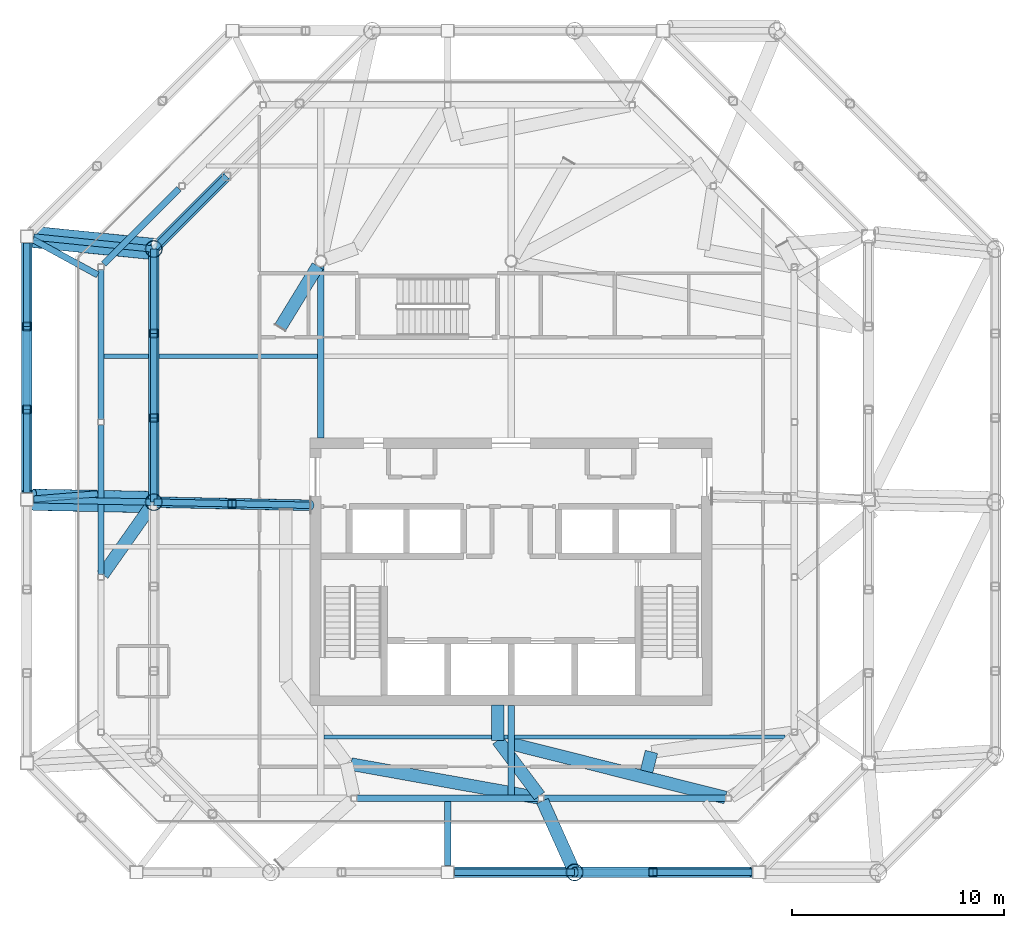
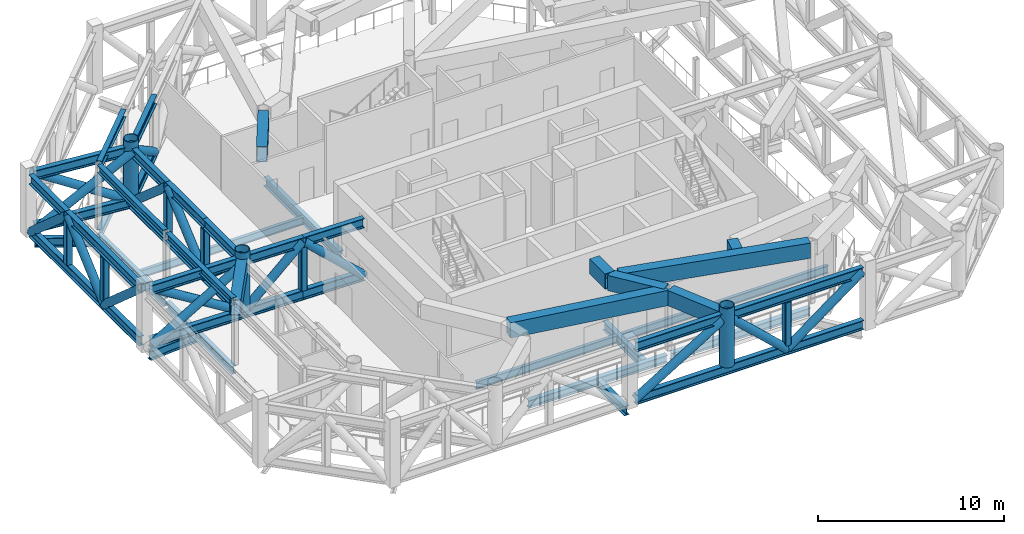
# One storey, part 3 of 14: 48 beams, 25 members.
"""IFC4 building model written with IfcOpenShell, lengths in metres."""

from ifc_helpers import new_model, si_unit, direction, frame, origin, origin_2d, place, context, subcontext, project, spatial, hollow_rectangle, hollow_circle, i_section, extrude, material, material_profile, profile_set, type_object, element, save


model = new_model("IFC4")

# Units and contexts
model_context = context("Model", 3, precision=1e-05, world=origin(), true_north=direction((0.0, 1.0)))
body_context = subcontext(model_context, "Body", "Model", "MODEL_VIEW")
ifc_project = project(units=[si_unit("LENGTHUNIT", "METRE"), si_unit("AREAUNIT", "SQUARE_METRE"), si_unit("VOLUMEUNIT", "CUBIC_METRE"), si_unit("PLANEANGLEUNIT", "RADIAN"), si_unit("MASSUNIT", "GRAM", prefix="KILO")], contexts=[model_context])

# Site, building, storey
site_placement = place(None, origin())
site = spatial("IfcSite", under=ifc_project, at=site_placement, CompositionType="ELEMENT")
building_placement = place(site_placement, origin())
building = spatial("IfcBuilding", under=site, at=building_placement, Name="Tskaro Facet Tower", CompositionType="ELEMENT")
storey_placement = place(building_placement, frame((0.0, 0.0, 255.0)))
storey = spatial("IfcBuildingStorey", under=building, at=storey_placement, Name="L67", CompositionType="ELEMENT", Elevation=255.0)

# Beams
ifc_material_1 = material(Name="Steel S355J2", Category="steel")
ifc_material_profile_1 = material_profile(ifc_material_1, hollow_rectangle(XDim=0.60009765625, YDim=1.0, WallThickness=0.0400390625, at=origin_2d()), Name="BOX 600x1000x40")
ifc_profile_set_1 = profile_set([ifc_material_profile_1], Name="Steel S355J2")
beam_type_1 = type_object("IfcBeamType", Name="BOX 600x1000x40 transfer girder", PredefinedType="BEAM", material=ifc_profile_set_1)
beam_1_placement = place(storey_placement, frame((-7.56884765625, -14.776123046875, 3.580078125), z_axis=(0.984253656315, -0.176761817228, 0.0), x_axis=(0.176761817228, 0.984253656315, 0.0)))
element("IfcBeam", 1, at=beam_1_placement, inside=storey, type_object=beam_type_1, Name="BOX 600x1000x40 TG6-10", PredefinedType="BEAM", context=body_context, shape_type="SweptSolid", body=[
    extrude(hollow_rectangle(XDim=0.60009765625, YDim=1.0, WallThickness=0.0400390625, at=origin_2d()), origin(), (0.0, 0.0, 1.0), 8.99560546875),
])
beam_2_placement = place(storey_placement, frame((-0.634033203125, -13.64990234375, 3.580078125), z_axis=(0.600202004065, -0.799848457094, 0.0), x_axis=(0.799848457094, 0.600202004065, 0.0)))
element("IfcBeam", 2, at=beam_2_placement, inside=storey, type_object=beam_type_1, Name="BOX 600x1000x40 TG6-15", PredefinedType="BEAM", context=body_context, shape_type="SweptSolid", body=[
    extrude(hollow_rectangle(XDim=0.60009765625, YDim=1.0, WallThickness=0.0400390625, at=origin_2d()), origin(), (0.0, 0.0, 1.0), 3.287109375),
])
beam_3_placement = place(storey_placement, frame((-0.16845703125, -13.76708984375, 3.580078125), z_axis=(0.969817126291, -0.243833429932, 0.0), x_axis=(0.243833429932, 0.969817126291, 0.0)))
element("IfcBeam", 3, at=beam_3_placement, inside=storey, type_object=beam_type_1, Name="BOX 600x1000x40 TG6-16", PredefinedType="BEAM", context=body_context, shape_type="SweptSolid", body=[
    extrude(hollow_rectangle(XDim=0.60009765625, YDim=1.0, WallThickness=0.0400390625, at=origin_2d()), origin(), (0.0, 0.0, 1.0), 10.621337890625),
])
beam_4_placement = place(storey_placement, frame((-0.634033203125, -13.64990234375, 3.580078125), z_axis=(0.0, 1.0, 0.0), x_axis=(-1.0, 0.0, 0.0)))
element("IfcBeam", 4, at=beam_4_placement, inside=storey, type_object=beam_type_1, Name="BOX 600x1000x40 TG6-17", PredefinedType="BEAM", context=body_context, shape_type="SweptSolid", body=[
    extrude(hollow_rectangle(XDim=0.60009765625, YDim=1.0, WallThickness=0.0400390625, at=origin_2d()), origin(), (0.0, 0.0, 1.0), 1.659912109375),
])
beam_5_placement = place(storey_placement, frame((3.0, -19.89306640625, 3.580078125), z_axis=(-0.410589589532, 0.911820261328, 0.0), x_axis=(-0.911820261328, -0.410589589532, 0.0)))
element("IfcBeam", 5, at=beam_5_placement, inside=storey, type_object=beam_type_1, Name="BOX 600x1000x40 TG6-23", PredefinedType="BEAM", context=body_context, shape_type="SweptSolid", body=[
    extrude(hollow_rectangle(XDim=0.60009765625, YDim=1.0, WallThickness=0.0400390625, at=origin_2d()), origin(), (0.0, 0.0, 1.0), 3.700927734375),
])
beam_6_placement = place(storey_placement, frame((-10.9130859375, 5.872314453125, 3.580078125), z_axis=(0.521801741596, 0.853066786639, 0.0), x_axis=(-0.853066786639, 0.521801741596, 0.0)))
element("IfcBeam", 6, at=beam_6_placement, inside=storey, type_object=beam_type_1, Name="BOX 600x1000x40 TG6-25", PredefinedType="BEAM", context=body_context, shape_type="SweptSolid", body=[
    extrude(hollow_rectangle(XDim=0.60009765625, YDim=1.0, WallThickness=0.0400390625, at=origin_2d()), origin(), (0.0, 0.0, 1.0), 3.396728515625),
])
beam_7_placement = place(storey_placement, frame((6.634033203125, -14.199951171875, 3.580078125), z_axis=(-0.243927864871, -0.969793378375, 0.0), x_axis=(0.969793378375, -0.243927864871, 0.0)))
element("IfcBeam", 7, at=beam_7_placement, inside=storey, type_object=beam_type_1, Name="BOX 600x1000x40 TG6-26", PredefinedType="BEAM", context=body_context, shape_type="SweptSolid", body=[
    extrude(hollow_rectangle(XDim=0.60009765625, YDim=1.0, WallThickness=0.0400390625, at=origin_2d()), origin(), (0.0, 0.0, 1.0), 0.94873046875),
])
beam_8_placement = place(storey_placement, frame((-16.89306640625, -2.39208984375, 3.580078125), z_axis=(-0.576009197748, -0.81744321155, 0.0), x_axis=(0.81744321155, -0.576009197748, 0.0)))
element("IfcBeam", 8, at=beam_8_placement, inside=storey, type_object=beam_type_1, Name="BOX 600x1000x40 TG6-28", PredefinedType="BEAM", context=body_context, shape_type="SweptSolid", body=[
    extrude(hollow_rectangle(XDim=0.60009765625, YDim=1.0, WallThickness=0.0400390625, at=origin_2d()), origin(), (0.0, 0.0, 1.0), 4.196533203125),
])

# Members
ifc_material_2 = material(Name="Steel S355J2H", Category="steel")
ifc_material_profile_2 = material_profile(ifc_material_2, hollow_circle(Radius=0.25390625, WallThickness=0.02490234375, at=origin_2d()), Name="CHS 508x25")
ifc_profile_set_2 = profile_set([ifc_material_profile_2], Name="Steel S355J2H")
member_type_1 = type_object("IfcMemberType", Name="CHS 508x25 belt diagonal", PredefinedType="BRACE", material=ifc_profile_set_2)
member_1_placement = place(storey_placement, frame((-2.675048828125, -19.89306640625, 0.31005859375), z_axis=(0.853825244327, 0.0, 0.520559748875), x_axis=(0.0, 1.0, 0.0)))
element("IfcMember", 9, at=member_1_placement, inside=storey, type_object=member_type_1, Name="CHS 508x25 BD5-021", PredefinedType="BRACE", context=body_context, shape_type="SweptSolid", body=[
    extrude(hollow_circle(Radius=0.25390625, WallThickness=0.02490234375, at=origin_2d()), origin(), (0.0, 0.0, 1.0), 6.646728515625),
])
member_2_placement = place(storey_placement, frame((3.0, -19.89306640625, 3.77001953125), z_axis=(0.730802153368, 0.0, -0.682589344067), x_axis=(0.0, 1.0, 0.0)))
element("IfcMember", 10, at=member_2_placement, inside=storey, type_object=member_type_1, Name="CHS 508x25 BD5-022", PredefinedType="BRACE", context=body_context, shape_type="SweptSolid", body=[
    extrude(hollow_circle(Radius=0.25390625, WallThickness=0.02490234375, at=origin_2d()), origin(), (0.0, 0.0, 1.0), 5.06884765625),
])
member_3_placement = place(storey_placement, frame((6.704345703125, -19.89306640625, 0.31005859375), z_axis=(0.804695586788, 0.0, 0.593687638917), x_axis=(0.0, 1.0, 0.0)))
element("IfcMember", 11, at=member_3_placement, inside=storey, type_object=member_type_1, Name="CHS 508x25 BD5-023", PredefinedType="BRACE", context=body_context, shape_type="SweptSolid", body=[
    extrude(hollow_circle(Radius=0.25390625, WallThickness=0.02490234375, at=origin_2d()), origin(), (0.0, 0.0, 1.0), 5.827880859375),
])
for number, where, z_axis, x_axis, name in (
    (12, (-22.89306640625, 9.85107421875, 0.31005859375), (0.0, -0.750763446134, 0.660571152829), (1.0, 0.0, 0.0), "CHS 508x25 BD5-101"),
    (13, (-22.89306640625, 5.918701171875, 3.77001953125), (0.0, -0.750763446134, -0.660571152829), (1.0, 0.0, 0.0), "CHS 508x25 BD5-102"),
    (14, (-22.89306640625, 1.986328125, 0.31005859375), (0.0, -0.750763446134, 0.660571152829), (1.0, 0.0, 0.0), "CHS 508x25 BD5-103"),
):
    element("IfcMember", number, at=place(storey_placement, frame(where, z_axis=z_axis, x_axis=x_axis)), inside=storey, type_object=member_type_1, Name=name, PredefinedType="BRACE", context=body_context, shape_type="SweptSolid", body=[
        extrude(hollow_circle(Radius=0.25390625, WallThickness=0.02490234375, at=origin_2d()), origin(), (0.0, 0.0, 1.0), 5.23779296875),
    ])
member_4_placement = place(storey_placement, frame((-13.45263671875, 13.012451171875, 0.31005859375), z_axis=(-0.576257741707, -0.576257741707, 0.579529145294), x_axis=(0.707106781187, -0.707106781187, 0.0)))
element("IfcMember", 15, at=member_4_placement, inside=storey, type_object=member_type_1, Name="CHS 508x25 TB5-09-D3", PredefinedType="BRACE", context=body_context, shape_type="SweptSolid", body=[
    extrude(hollow_circle(Radius=0.25390625, WallThickness=0.02490234375, at=origin_2d()), origin(), (0.0, 0.0, 1.0), 5.97021484375),
])
for number, where, z_axis, x_axis, name in (
    (16, (-16.89306640625, 9.572021484375, 0.31005859375), (0.0, -0.755345692843, 0.65532654784), (1.0, 0.0, 0.0), "CHS 508x25 TB5-10-D1"),
    (17, (-16.89306640625, 5.583984375, 3.77001953125), (0.0, -0.755345692843, -0.65532654784), (1.0, 0.0, 0.0), "CHS 508x25 TB5-10-D2"),
    (18, (-16.89306640625, 1.595947265625, 0.31005859375), (0.0, -0.755345692843, 0.65532654784), (1.0, 0.0, 0.0), "CHS 508x25 TB5-10-D3"),
):
    element("IfcMember", number, at=place(storey_placement, frame(where, z_axis=z_axis, x_axis=x_axis)), inside=storey, type_object=member_type_1, Name=name, PredefinedType="BRACE", context=body_context, shape_type="SweptSolid", body=[
        extrude(hollow_circle(Radius=0.25390625, WallThickness=0.02490234375, at=origin_2d()), origin(), (0.0, 0.0, 1.0), 5.27978515625),
    ])
for number, where, z_axis, x_axis, name in (
    (19, (-22.594970703125, 9.890625, 0.31005859375), (0.85074935967, -0.085620123936, 0.518550596759), (0.100134997745, 0.994973860072, 0.0), "CHS 508x25 TL5-10A-D1"),
    (20, (-22.544189453125, 10.396240234375, 3.77001953125), (0.850746693866, -0.085656445329, -0.518548971892), (0.100177361123, 0.994969595675, 0.0), "CHS 508x25 TL5-10A-D2"),
):
    element("IfcMember", number, at=place(storey_placement, frame(where, z_axis=z_axis, x_axis=x_axis)), inside=storey, type_object=member_type_1, Name=name, PredefinedType="BRACE", context=body_context, shape_type="SweptSolid", body=[
        extrude(hollow_circle(Radius=0.25390625, WallThickness=0.02490234375, at=origin_2d()), origin(), (0.0, 0.0, 1.0), 6.67236328125),
    ])
for number, where, z_axis, x_axis, name in (
    (21, (-22.5732421875, -2.531494140625, 0.31005859375), (0.853698576328, -0.017224548604, 0.520482521993), (0.020172276506, 0.999796518928, 0.0), "CHS 508x25 TL5-11A-D1"),
    (22, (-22.56298828125, -2.023681640625, 3.77001953125), (0.853699115795, -0.017187833349, -0.520482850895), (0.020129282702, 0.999797385463, 0.0), "CHS 508x25 TL5-11A-D2"),
):
    element("IfcMember", number, at=place(storey_placement, frame(where, z_axis=z_axis, x_axis=x_axis)), inside=storey, type_object=member_type_1, Name=name, PredefinedType="BRACE", context=body_context, shape_type="SweptSolid", body=[
        extrude(hollow_circle(Radius=0.25390625, WallThickness=0.02490234375, at=origin_2d()), origin(), (0.0, 0.0, 1.0), 6.647705078125),
    ])
for number, where, z_axis, x_axis, name in (
    (23, (-16.89306640625, -2.39208984375, 0.31005859375), (0.730003876403, -0.014705183429, 0.683284785442), (0.020139894154, 0.999797171762, 0.0), "CHS 508x25 TL5-11B-D1"),
    (24, (-13.196533203125, -2.466552734375, 3.77001953125), (0.730003876403, -0.014705183429, -0.683284785442), (0.020139894154, 0.999797171762, 0.0), "CHS 508x25 TL5-11B-D2"),
):
    element("IfcMember", number, at=place(storey_placement, frame(where, z_axis=z_axis, x_axis=x_axis)), inside=storey, type_object=member_type_1, Name=name, PredefinedType="BRACE", context=body_context, shape_type="SweptSolid", body=[
        extrude(hollow_circle(Radius=0.25390625, WallThickness=0.02490234375, at=origin_2d()), origin(), (0.0, 0.0, 1.0), 5.063720703125),
    ])
ifc_material_profile_3 = material_profile(ifc_material_2, hollow_circle(Radius=0.406494140625, WallThickness=0.035888671875, at=origin_2d()), Name="CHS 812.8x36")
ifc_profile_set_3 = profile_set([ifc_material_profile_3], Name="Steel S355J2H")
member_type_2 = type_object("IfcMemberType", Name="CHS 812.8x36 transfer node post", PredefinedType="POST", material=ifc_profile_set_3)
for number, where, z_axis, x_axis, name in (
    (25, (3.0, -19.89306640625, 0.6201171875), (0.0, 0.0, 1.0), (1.0, 0.0, 0.0), "CHS 812.8x36 TN5-02"),
    (26, (-16.89306640625, 9.572021484375, 0.6201171875), (0.0, 0.0, 1.0), (1.0, 0.0, 0.0), "CHS 812.8x36 TN5-10"),
    (27, (-16.89306640625, -2.39208984375, 0.6201171875), (0.0, 0.0, 1.0), (1.0, 0.0, 0.0), "CHS 812.8x36 TN5-11"),
):
    element("IfcMember", number, at=place(storey_placement, frame(where, z_axis=z_axis, x_axis=x_axis)), inside=storey, type_object=member_type_2, Name=name, PredefinedType="POST", context=body_context, shape_type="SweptSolid", body=[
        extrude(hollow_circle(Radius=0.406494140625, WallThickness=0.035888671875, at=origin_2d()), origin(), (0.0, 0.0, 1.0), 3.8798828125),
    ])

# Beams
ifc_material_profile_4 = material_profile(ifc_material_1, i_section(OverallWidth=0.300048828125, OverallDepth=0.5, WebThickness=0.014404296875, FlangeThickness=0.028076171875, FilletRadius=0.027099609375, at=origin_2d()), Name="HE 500 B")
ifc_profile_set_4 = profile_set([ifc_material_profile_4], Name="Steel S355J2")
beam_type_2 = type_object("IfcBeamType", Name="HE 500 B ring beam", PredefinedType="BEAM", material=ifc_profile_set_4)
beam_9_placement = place(storey_placement, frame((-7.29296875, -16.39111328125, -0.5), z_axis=(1.0, 0.0, 0.0), x_axis=(0.0, 1.0, 0.0)))
element("IfcBeam", 28, at=beam_9_placement, inside=storey, type_object=beam_type_2, Name="HE 500 B EB2-5", PredefinedType="BEAM", context=body_context, shape_type="SweptSolid", body=[
    extrude(i_section(OverallWidth=0.300048828125, OverallDepth=0.5, WebThickness=0.014404296875, FlangeThickness=0.028076171875, FilletRadius=0.027099609375, at=origin_2d()), origin(), (0.0, 0.0, 1.0), 8.5859375),
])
beam_10_placement = place(storey_placement, frame((1.552978515625, -16.39111328125, -0.5), z_axis=(1.0, 0.0, 0.0), x_axis=(0.0, 1.0, 0.0)))
element("IfcBeam", 29, at=beam_10_placement, inside=storey, type_object=beam_type_2, Name="HE 500 B EB3-5", PredefinedType="BEAM", context=body_context, shape_type="SweptSolid", body=[
    extrude(i_section(OverallWidth=0.300048828125, OverallDepth=0.5, WebThickness=0.014404296875, FlangeThickness=0.028076171875, FilletRadius=0.027099609375, at=origin_2d()), origin(), (0.0, 0.0, 1.0), 8.5849609375),
])
beam_11_placement = place(storey_placement, frame((-15.69384765625, 12.422119140625, -0.5), z_axis=(-0.707106781187, -0.707106781187, 0.0), x_axis=(0.707106781187, -0.707106781187, 0.0)))
element("IfcBeam", 30, at=beam_11_placement, inside=storey, type_object=beam_type_2, Name="HE 500 B EB13-5", PredefinedType="BEAM", context=body_context, shape_type="SweptSolid", body=[
    extrude(i_section(OverallWidth=0.300048828125, OverallDepth=0.5, WebThickness=0.014404296875, FlangeThickness=0.028076171875, FilletRadius=0.027099609375, at=origin_2d()), origin(), (0.0, 0.0, 1.0), 5.036376953125),
])
beam_12_placement = place(storey_placement, frame((-19.39111328125, 8.594970703125, -0.5), z_axis=(0.0, -1.0, 0.0), x_axis=(1.0, 0.0, 0.0)))
element("IfcBeam", 31, at=beam_12_placement, inside=storey, type_object=beam_type_2, Name="HE 500 B EB14-5", PredefinedType="BEAM", context=body_context, shape_type="SweptSolid", body=[
    extrude(i_section(OverallWidth=0.300048828125, OverallDepth=0.5, WebThickness=0.014404296875, FlangeThickness=0.028076171875, FilletRadius=0.027099609375, at=origin_2d()), origin(), (0.0, 0.0, 1.0), 7.071044921875),
])
beam_13_placement = place(storey_placement, frame((-19.39111328125, 1.263916015625, -0.5), z_axis=(0.0, -1.0, 0.0), x_axis=(1.0, 0.0, 0.0)))
element("IfcBeam", 32, at=beam_13_placement, inside=storey, type_object=beam_type_2, Name="HE 500 B EB15-5", PredefinedType="BEAM", context=body_context, shape_type="SweptSolid", body=[
    extrude(i_section(OverallWidth=0.300048828125, OverallDepth=0.5, WebThickness=0.014404296875, FlangeThickness=0.028076171875, FilletRadius=0.027099609375, at=origin_2d()), origin(), (0.0, 0.0, 1.0), 7.07080078125),
])
beam_14_placement = place(storey_placement, frame((-15.69384765625, 12.422119140625, 4.0), z_axis=(-0.707106781187, -0.707106781187, 0.0), x_axis=(0.707106781187, -0.707106781187, 0.0)))
element("IfcBeam", 33, at=beam_14_placement, inside=storey, type_object=beam_type_2, Name="HE 500 B EB13-5R", PredefinedType="BEAM", context=body_context, shape_type="SweptSolid", body=[
    extrude(i_section(OverallWidth=0.300048828125, OverallDepth=0.5, WebThickness=0.014404296875, FlangeThickness=0.028076171875, FilletRadius=0.027099609375, at=origin_2d()), origin(), (0.0, 0.0, 1.0), 5.036376953125),
])
beam_15_placement = place(storey_placement, frame((-19.39111328125, 8.594970703125, 4.0), z_axis=(0.0, -1.0, 0.0), x_axis=(1.0, 0.0, 0.0)))
element("IfcBeam", 34, at=beam_15_placement, inside=storey, type_object=beam_type_2, Name="HE 500 B EB14-5R", PredefinedType="BEAM", context=body_context, shape_type="SweptSolid", body=[
    extrude(i_section(OverallWidth=0.300048828125, OverallDepth=0.5, WebThickness=0.014404296875, FlangeThickness=0.028076171875, FilletRadius=0.027099609375, at=origin_2d()), origin(), (0.0, 0.0, 1.0), 7.071044921875),
])
beam_16_placement = place(storey_placement, frame((-19.39111328125, 1.263916015625, 4.0), z_axis=(0.0, -1.0, 0.0), x_axis=(1.0, 0.0, 0.0)))
element("IfcBeam", 35, at=beam_16_placement, inside=storey, type_object=beam_type_2, Name="HE 500 B EB15-5R", PredefinedType="BEAM", context=body_context, shape_type="SweptSolid", body=[
    extrude(i_section(OverallWidth=0.300048828125, OverallDepth=0.5, WebThickness=0.014404296875, FlangeThickness=0.028076171875, FilletRadius=0.027099609375, at=origin_2d()), origin(), (0.0, 0.0, 1.0), 7.07080078125),
])
ifc_material_profile_5 = material_profile(ifc_material_1, i_section(OverallWidth=0.300048828125, OverallDepth=0.590087890625, WebThickness=0.012939453125, FlangeThickness=0.02490234375, FilletRadius=0.027099609375, at=origin_2d()), Name="HE 600 A")
ifc_profile_set_5 = profile_set([ifc_material_profile_5], Name="Steel S355J2")
beam_type_3 = type_object("IfcBeamType", Name="HE 600 A girder", PredefinedType="BEAM", material=ifc_profile_set_5)
beam_17_placement = place(storey_placement, frame((-9.0, 0.64990234375, -0.544921875), z_axis=(0.0, 1.0, 0.0), x_axis=(-1.0, 0.0, 0.0)))
element("IfcBeam", 36, at=beam_17_placement, inside=storey, type_object=beam_type_3, Name="HE 600 A GB3-2-5", PredefinedType="BEAM", context=body_context, shape_type="SweptSolid", body=[
    extrude(i_section(OverallWidth=0.300048828125, OverallDepth=0.590087890625, WebThickness=0.012939453125, FlangeThickness=0.02490234375, FilletRadius=0.027099609375, at=origin_2d()), origin(), (0.0, 0.0, 1.0), 8.1005859375),
])
beam_18_placement = place(storey_placement, frame((0.0, -16.240966796875, -0.544921875), z_axis=(0.0, 1.0, 0.0), x_axis=(-1.0, 0.0, 0.0)))
element("IfcBeam", 37, at=beam_18_placement, inside=storey, type_object=beam_type_3, Name="HE 600 A GB4-1-5", PredefinedType="BEAM", context=body_context, shape_type="SweptSolid", body=[
    extrude(i_section(OverallWidth=0.300048828125, OverallDepth=0.590087890625, WebThickness=0.012939453125, FlangeThickness=0.02490234375, FilletRadius=0.027099609375, at=origin_2d()), origin(), (0.0, 0.0, 1.0), 4.240966796875),
])
ifc_material_profile_6 = material_profile(ifc_material_1, i_section(OverallWidth=0.300048828125, OverallDepth=0.60009765625, WebThickness=0.015380859375, FlangeThickness=0.030029296875, FilletRadius=0.027099609375, at=origin_2d()), Name="HE 600 B")
ifc_profile_set_6 = profile_set([ifc_material_profile_6], Name="Steel S355J2")
beam_type_4 = type_object("IfcBeamType", Name="HE 600 B floor strut", PredefinedType="BEAM", material=ifc_profile_set_6)
beam_19_placement = place(storey_placement, frame((-3.0, -19.568115234375, -0.550048828125), z_axis=(0.0, 1.0, 0.0), x_axis=(-1.0, 0.0, 0.0)))
element("IfcBeam", 38, at=beam_19_placement, inside=storey, type_object=beam_type_4, Name="HE 600 B ES5-02", PredefinedType="BEAM", context=body_context, shape_type="SweptSolid", body=[
    extrude(i_section(OverallWidth=0.300048828125, OverallDepth=0.60009765625, WebThickness=0.015380859375, FlangeThickness=0.030029296875, FilletRadius=0.027099609375, at=origin_2d()), origin(), (0.0, 0.0, 1.0), 3.027099609375),
])
beam_20_placement = place(storey_placement, frame((-22.607666015625, 10.0205078125, -0.550048828125), z_axis=(0.878114555833, -0.478450443446, 0.0), x_axis=(0.478450443446, 0.878114555833, 0.0)))
element("IfcBeam", 39, at=beam_20_placement, inside=storey, type_object=beam_type_4, Name="HE 600 B ES5-10", PredefinedType="BEAM", context=body_context, shape_type="SweptSolid", body=[
    extrude(i_section(OverallWidth=0.300048828125, OverallDepth=0.60009765625, WebThickness=0.015380859375, FlangeThickness=0.030029296875, FilletRadius=0.027099609375, at=origin_2d()), origin(), (0.0, 0.0, 1.0), 3.492431640625),
])
beam_21_placement = place(storey_placement, frame((-22.569091796875, -2.244873046875, -0.550048828125), z_axis=(0.996752624815, 0.080524560999, 0.0), x_axis=(-0.080524560999, 0.996752624815, 0.0)))
element("IfcBeam", 40, at=beam_21_placement, inside=storey, type_object=beam_type_4, Name="HE 600 B ES5-11", PredefinedType="BEAM", context=body_context, shape_type="SweptSolid", body=[
    extrude(i_section(OverallWidth=0.300048828125, OverallDepth=0.60009765625, WebThickness=0.015380859375, FlangeThickness=0.030029296875, FilletRadius=0.027099609375, at=origin_2d()), origin(), (0.0, 0.0, 1.0), 3.037841796875),
])
ifc_material_profile_7 = material_profile(ifc_material_1, i_section(OverallWidth=0.304931640625, OverallDepth=0.6201171875, WebThickness=0.02099609375, FlangeThickness=0.0400390625, FilletRadius=0.027099609375, at=origin_2d()), Name="HE 600 M")
ifc_profile_set_7 = profile_set([ifc_material_profile_7], Name="Steel S355J2")
beam_type_5 = type_object("IfcBeamType", Name="HE 600 M belt chord", PredefinedType="BEAM", material=ifc_profile_set_7)
beam_22_placement = place(storey_placement, frame((-2.675048828125, -19.89306640625, 3.77001953125), z_axis=(1.0, 0.0, 0.0), x_axis=(0.0, 1.0, 0.0)))
element("IfcBeam", 41, at=beam_22_placement, inside=storey, type_object=beam_type_5, Name="HE 600 M BT5-02T1", PredefinedType="BEAM", context=body_context, shape_type="SweptSolid", body=[
    extrude(i_section(OverallWidth=0.304931640625, OverallDepth=0.6201171875, WebThickness=0.02099609375, FlangeThickness=0.0400390625, FilletRadius=0.027099609375, at=origin_2d()), origin(), (0.0, 0.0, 1.0), 5.675048828125),
])
beam_23_placement = place(storey_placement, frame((3.0, -19.89306640625, 3.77001953125), z_axis=(1.0, 0.0, 0.0), x_axis=(0.0, 1.0, 0.0)))
element("IfcBeam", 42, at=beam_23_placement, inside=storey, type_object=beam_type_5, Name="HE 600 M BT5-02T2", PredefinedType="BEAM", context=body_context, shape_type="SweptSolid", body=[
    extrude(i_section(OverallWidth=0.304931640625, OverallDepth=0.6201171875, WebThickness=0.02099609375, FlangeThickness=0.0400390625, FilletRadius=0.027099609375, at=origin_2d()), origin(), (0.0, 0.0, 1.0), 8.39404296875),
])
beam_24_placement = place(storey_placement, frame((-2.675048828125, -19.89306640625, 0.31005859375), z_axis=(1.0, 0.0, 0.0), x_axis=(0.0, 1.0, 0.0)))
element("IfcBeam", 43, at=beam_24_placement, inside=storey, type_object=beam_type_5, Name="HE 600 M BT5-02B1", PredefinedType="BEAM", context=body_context, shape_type="SweptSolid", body=[
    extrude(i_section(OverallWidth=0.304931640625, OverallDepth=0.6201171875, WebThickness=0.02099609375, FlangeThickness=0.0400390625, FilletRadius=0.027099609375, at=origin_2d()), origin(), (0.0, 0.0, 1.0), 9.37939453125),
])
beam_25_placement = place(storey_placement, frame((6.704345703125, -19.89306640625, 0.31005859375), z_axis=(1.0, 0.0, 0.0), x_axis=(0.0, 1.0, 0.0)))
element("IfcBeam", 44, at=beam_25_placement, inside=storey, type_object=beam_type_5, Name="HE 600 M BT5-02B2", PredefinedType="BEAM", context=body_context, shape_type="SweptSolid", body=[
    extrude(i_section(OverallWidth=0.304931640625, OverallDepth=0.6201171875, WebThickness=0.02099609375, FlangeThickness=0.0400390625, FilletRadius=0.027099609375, at=origin_2d()), origin(), (0.0, 0.0, 1.0), 4.689697265625),
])
beam_26_placement = place(storey_placement, frame((-22.89306640625, 9.85107421875, 3.77001953125), z_axis=(0.0, -1.0, 0.0), x_axis=(1.0, 0.0, 0.0)))
element("IfcBeam", 45, at=beam_26_placement, inside=storey, type_object=beam_type_5, Name="HE 600 M BT5-10T1", PredefinedType="BEAM", context=body_context, shape_type="SweptSolid", body=[
    extrude(i_section(OverallWidth=0.304931640625, OverallDepth=0.6201171875, WebThickness=0.02099609375, FlangeThickness=0.0400390625, FilletRadius=0.027099609375, at=origin_2d()), origin(), (0.0, 0.0, 1.0), 3.932373046875),
])
for number, where, z_axis, x_axis, name in (
    (46, (-22.89306640625, 5.918701171875, 3.77001953125), (0.0, -1.0, 0.0), (1.0, 0.0, 0.0), "HE 600 M BT5-10T2"),
    (47, (-22.89306640625, 9.85107421875, 0.31005859375), (0.0, -1.0, 0.0), (1.0, 0.0, 0.0), "HE 600 M BT5-10B1"),
):
    element("IfcBeam", number, at=place(storey_placement, frame(where, z_axis=z_axis, x_axis=x_axis)), inside=storey, type_object=beam_type_5, Name=name, PredefinedType="BEAM", context=body_context, shape_type="SweptSolid", body=[
        extrude(i_section(OverallWidth=0.304931640625, OverallDepth=0.6201171875, WebThickness=0.02099609375, FlangeThickness=0.0400390625, FilletRadius=0.027099609375, at=origin_2d()), origin(), (0.0, 0.0, 1.0), 7.86474609375),
    ])
beam_27_placement = place(storey_placement, frame((-22.89306640625, 1.986328125, 0.31005859375), z_axis=(0.0, -1.0, 0.0), x_axis=(1.0, 0.0, 0.0)))
element("IfcBeam", 48, at=beam_27_placement, inside=storey, type_object=beam_type_5, Name="HE 600 M BT5-10B2", PredefinedType="BEAM", context=body_context, shape_type="SweptSolid", body=[
    extrude(i_section(OverallWidth=0.304931640625, OverallDepth=0.6201171875, WebThickness=0.02099609375, FlangeThickness=0.0400390625, FilletRadius=0.027099609375, at=origin_2d()), origin(), (0.0, 0.0, 1.0), 3.932373046875),
])
for number, where, z_axis, x_axis, name in (
    (49, (-13.45263671875, 13.012451171875, 3.77001953125), (-0.707106781187, -0.707106781187, 0.0), (0.707106781187, -0.707106781187, 0.0), "HE 600 M TB5-09-T3"),
    (50, (-13.45263671875, 13.012451171875, 0.31005859375), (-0.707106781187, -0.707106781187, 0.0), (0.707106781187, -0.707106781187, 0.0), "HE 600 M TB5-09-B3"),
):
    element("IfcBeam", number, at=place(storey_placement, frame(where, z_axis=z_axis, x_axis=x_axis)), inside=storey, type_object=beam_type_5, Name=name, PredefinedType="BEAM", context=body_context, shape_type="SweptSolid", body=[
        extrude(i_section(OverallWidth=0.304931640625, OverallDepth=0.6201171875, WebThickness=0.02099609375, FlangeThickness=0.0400390625, FilletRadius=0.027099609375, at=origin_2d()), origin(), (0.0, 0.0, 1.0), 4.865478515625),
    ])
for number, where, z_axis, x_axis, name in (
    (51, (-16.89306640625, 9.572021484375, 3.77001953125), (0.0, -1.0, 0.0), (1.0, 0.0, 0.0), "HE 600 M TB5-10-T1"),
    (52, (-16.89306640625, 9.572021484375, 0.31005859375), (0.0, -1.0, 0.0), (1.0, 0.0, 0.0), "HE 600 M TB5-10-B1"),
    (53, (-16.89306640625, 5.583984375, 3.77001953125), (0.0, -1.0, 0.0), (1.0, 0.0, 0.0), "HE 600 M TB5-10-T2"),
    (54, (-16.89306640625, 5.583984375, 0.31005859375), (0.0, -1.0, 0.0), (1.0, 0.0, 0.0), "HE 600 M TB5-10-B2"),
    (55, (-16.89306640625, 1.595947265625, 3.77001953125), (0.0, -1.0, 0.0), (1.0, 0.0, 0.0), "HE 600 M TB5-10-T3"),
    (56, (-16.89306640625, 1.595947265625, 0.31005859375), (0.0, -1.0, 0.0), (1.0, 0.0, 0.0), "HE 600 M TB5-10-B3"),
):
    element("IfcBeam", number, at=place(storey_placement, frame(where, z_axis=z_axis, x_axis=x_axis)), inside=storey, type_object=beam_type_5, Name=name, PredefinedType="BEAM", context=body_context, shape_type="SweptSolid", body=[
        extrude(i_section(OverallWidth=0.304931640625, OverallDepth=0.6201171875, WebThickness=0.02099609375, FlangeThickness=0.0400390625, FilletRadius=0.027099609375, at=origin_2d()), origin(), (0.0, 0.0, 1.0), 3.988037109375),
    ])
for number, where, z_axis, x_axis, name in (
    (57, (-22.569580078125, 10.1435546875, 3.77001953125), (0.994969595675, -0.100177361123, 0.0), (0.100177361123, 0.994969595675, 0.0), "HE 600 M TL5-10A-T1"),
    (58, (-22.569580078125, 10.1435546875, 0.31005859375), (0.994969595675, -0.100177361123, 0.0), (0.100177361123, 0.994969595675, 0.0), "HE 600 M TL5-10A-B1"),
):
    element("IfcBeam", number, at=place(storey_placement, frame(where, z_axis=z_axis, x_axis=x_axis)), inside=storey, type_object=beam_type_5, Name=name, PredefinedType="BEAM", context=body_context, shape_type="SweptSolid", body=[
        extrude(i_section(OverallWidth=0.304931640625, OverallDepth=0.6201171875, WebThickness=0.02099609375, FlangeThickness=0.0400390625, FilletRadius=0.027099609375, at=origin_2d()), origin(), (0.0, 0.0, 1.0), 5.705322265625),
    ])
for number, where, z_axis, x_axis, name in (
    (59, (-22.568115234375, -2.277587890625, 3.77001953125), (0.999796518928, -0.020172276506, 0.0), (0.020172276506, 0.999796518928, 0.0), "HE 600 M TL5-11A-T1"),
    (60, (-22.568115234375, -2.277587890625, 0.31005859375), (0.999796518928, -0.020172276506, 0.0), (0.020172276506, 0.999796518928, 0.0), "HE 600 M TL5-11A-B1"),
):
    element("IfcBeam", number, at=place(storey_placement, frame(where, z_axis=z_axis, x_axis=x_axis)), inside=storey, type_object=beam_type_5, Name=name, PredefinedType="BEAM", context=body_context, shape_type="SweptSolid", body=[
        extrude(i_section(OverallWidth=0.304931640625, OverallDepth=0.6201171875, WebThickness=0.02099609375, FlangeThickness=0.0400390625, FilletRadius=0.027099609375, at=origin_2d()), origin(), (0.0, 0.0, 1.0), 5.67626953125),
    ])
for number, where, z_axis, x_axis, name in (
    (61, (-16.89306640625, -2.39208984375, 3.77001953125), (0.999797171762, -0.020139894154, 0.0), (0.020139894154, 0.999797171762, 0.0), "HE 600 M TL5-11B-T1"),
    (62, (-16.89306640625, -2.39208984375, 0.31005859375), (0.999797171762, -0.020139894154, 0.0), (0.020139894154, 0.999797171762, 0.0), "HE 600 M TL5-11B-B1"),
    (63, (-13.196533203125, -2.466552734375, 3.77001953125), (0.999797171762, -0.020139894154, 0.0), (0.020139894154, 0.999797171762, 0.0), "HE 600 M TL5-11B-T2"),
    (64, (-13.196533203125, -2.466552734375, 0.31005859375), (0.999797171762, -0.020139894154, 0.0), (0.020139894154, 0.999797171762, 0.0), "HE 600 M TL5-11B-B2"),
):
    element("IfcBeam", number, at=place(storey_placement, frame(where, z_axis=z_axis, x_axis=x_axis)), inside=storey, type_object=beam_type_5, Name=name, PredefinedType="BEAM", context=body_context, shape_type="SweptSolid", body=[
        extrude(i_section(OverallWidth=0.304931640625, OverallDepth=0.6201171875, WebThickness=0.02099609375, FlangeThickness=0.0400390625, FilletRadius=0.027099609375, at=origin_2d()), origin(), (0.0, 0.0, 1.0), 3.697265625),
    ])
ifc_material_profile_8 = material_profile(ifc_material_1, i_section(OverallWidth=0.199951171875, OverallDepth=0.5, WebThickness=0.01025390625, FlangeThickness=0.01611328125, FilletRadius=0.02099609375, at=origin_2d()), Name="IPE 500")
ifc_profile_set_8 = profile_set([ifc_material_profile_8], Name="Steel S355J2")
beam_type_6 = type_object("IfcBeamType", Name="IPE 500 secondary beam", PredefinedType="BEAM", material=ifc_profile_set_8)
beam_28_placement = place(storey_placement, frame((-8.85009765625, -13.5, -0.5), z_axis=(1.0, 0.0, 0.0), x_axis=(0.0, 1.0, 0.0)))
element("IfcBeam", 65, at=beam_28_placement, inside=storey, type_object=beam_type_6, Name="IPE 500 SB2a-2-5", PredefinedType="BEAM", context=body_context, shape_type="SweptSolid", body=[
    extrude(i_section(OverallWidth=0.199951171875, OverallDepth=0.5, WebThickness=0.01025390625, FlangeThickness=0.01611328125, FilletRadius=0.02099609375, at=origin_2d()), origin(), (0.0, 0.0, 1.0), 8.7001953125),
])
beam_29_placement = place(storey_placement, frame((0.14990234375, -13.5, -0.5), z_axis=(1.0, 0.0, 0.0), x_axis=(0.0, 1.0, 0.0)))
element("IfcBeam", 66, at=beam_29_placement, inside=storey, type_object=beam_type_6, Name="IPE 500 SB2a-3-5", PredefinedType="BEAM", context=body_context, shape_type="SweptSolid", body=[
    extrude(i_section(OverallWidth=0.199951171875, OverallDepth=0.5, WebThickness=0.01025390625, FlangeThickness=0.01611328125, FilletRadius=0.02099609375, at=origin_2d()), origin(), (0.0, 0.0, 1.0), 12.797119140625),
])
beam_30_placement = place(storey_placement, frame((-19.240966796875, 4.5, -0.5), z_axis=(1.0, 0.0, 0.0), x_axis=(0.0, 1.0, 0.0)))
element("IfcBeam", 67, at=beam_30_placement, inside=storey, type_object=beam_type_6, Name="IPE 500 SB4a-1-5", PredefinedType="BEAM", context=body_context, shape_type="SweptSolid", body=[
    extrude(i_section(OverallWidth=0.199951171875, OverallDepth=0.5, WebThickness=0.01025390625, FlangeThickness=0.01611328125, FilletRadius=0.02099609375, at=origin_2d()), origin(), (0.0, 0.0, 1.0), 10.091064453125),
])

# Members
ifc_material_profile_9 = material_profile(ifc_material_2, hollow_rectangle(XDim=0.39990234375, YDim=0.39990234375, WallThickness=0.02490234375, InnerFilletRadius=0.03759765625, OuterFilletRadius=0.0625, at=origin_2d()), Name="SHS 400x400x25")
ifc_profile_set_9 = profile_set([ifc_material_profile_9], Name="Steel S355J2H")
member_type_3 = type_object("IfcMemberType", Name="SHS 400x400x25 belt post", PredefinedType="POST", material=ifc_profile_set_9)
for number, where, z_axis, x_axis, name in (
    (68, (6.704345703125, -19.89306640625, 0.6201171875), (0.0, 0.0, 1.0), (1.0, 0.0, 0.0), "SHS 400x400x25 BP5-022"),
    (69, (-22.89306640625, 5.918701171875, 0.6201171875), (0.0, 0.0, 1.0), (1.0, 0.0, 0.0), "SHS 400x400x25 BP5-101"),
    (70, (-22.89306640625, 1.986328125, 0.6201171875), (0.0, 0.0, 1.0), (1.0, 0.0, 0.0), "SHS 400x400x25 BP5-102"),
    (71, (-16.89306640625, 5.583984375, 0.6201171875), (0.0, 0.0, 1.0), (1.0, 0.0, 0.0), "SHS 400x400x25 TB5-10-P1"),
    (72, (-16.89306640625, 1.595947265625, 0.6201171875), (0.0, 0.0, 1.0), (1.0, 0.0, 0.0), "SHS 400x400x25 TB5-10-P2"),
    (73, (-13.196533203125, -2.466552734375, 0.6201171875), (0.0, 0.0, 1.0), (1.0, 0.0, 0.0), "SHS 400x400x25 TL5-11B-P1"),
):
    element("IfcMember", number, at=place(storey_placement, frame(where, z_axis=z_axis, x_axis=x_axis)), inside=storey, type_object=member_type_3, Name=name, PredefinedType="POST", context=body_context, shape_type="SweptSolid", body=[
        extrude(hollow_rectangle(XDim=0.39990234375, YDim=0.39990234375, WallThickness=0.02490234375, InnerFilletRadius=0.03759765625, OuterFilletRadius=0.0625, at=origin_2d()), origin(), (0.0, 0.0, 1.0), 2.83984375),
    ])

save(model, "model.ifc")
